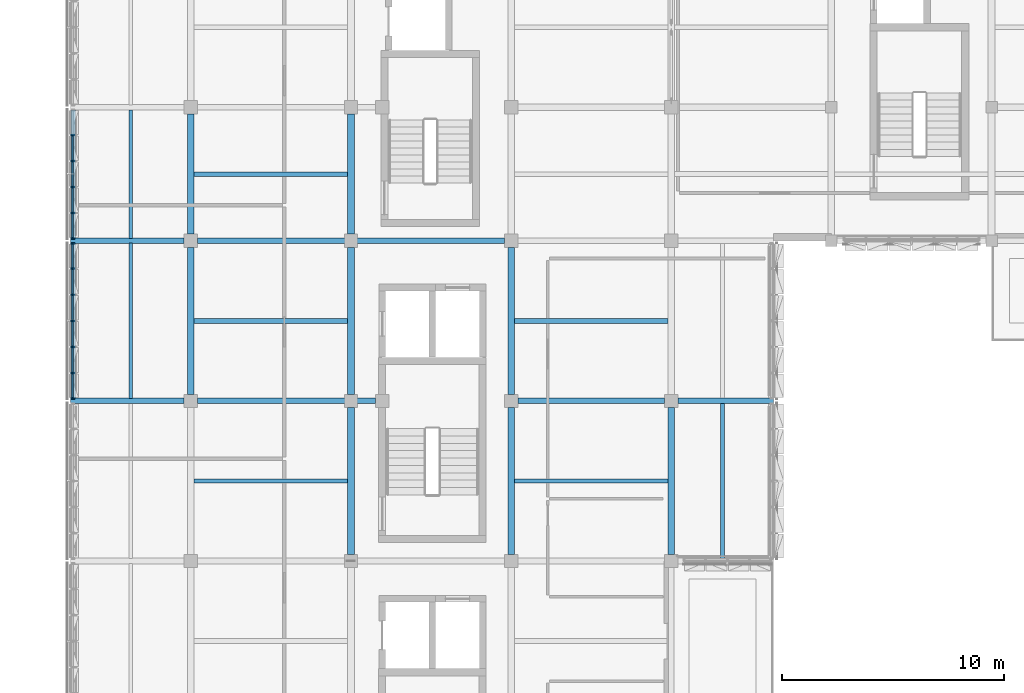
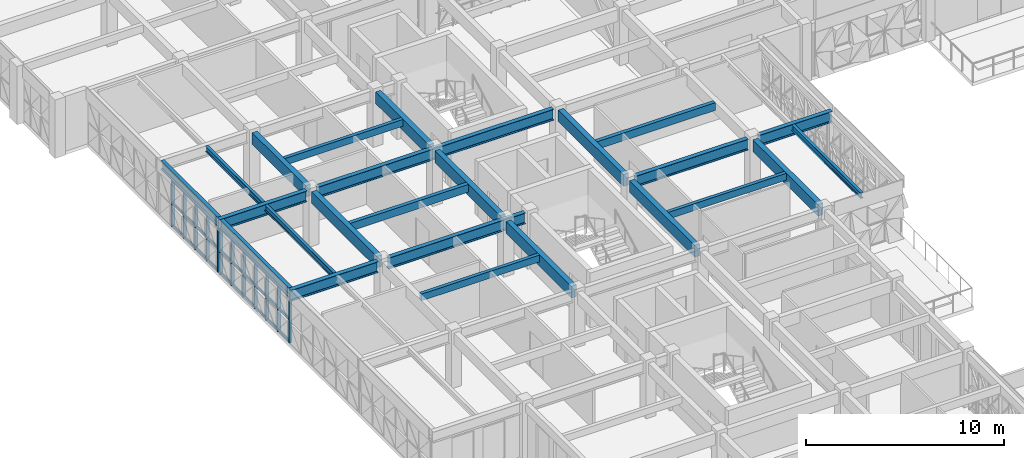
# One storey, part 4 of 74: 42 members, 24 beams, 2 elements without a shape of their own.
"""IFC4 building model written with IfcOpenShell, lengths in metres."""

from ifc_helpers import new_model, si_unit, direction, frame, origin, origin_2d, place, context, subcontext, project, spatial, rectangle, i_section, extrude, material, material_profile, profile_set, type_object, element, aggregate, save


model = new_model("IFC4")

# Units and contexts
model_context = context("Model", 3, precision=1e-05, world=origin(), true_north=direction((0.0, 1.0)))
body_context = subcontext(model_context, "Body", "Model", "MODEL_VIEW")
ifc_project = project(units=[si_unit("LENGTHUNIT", "METRE"), si_unit("AREAUNIT", "SQUARE_METRE"), si_unit("VOLUMEUNIT", "CUBIC_METRE"), si_unit("PLANEANGLEUNIT", "RADIAN"), si_unit("MASSUNIT", "GRAM", prefix="KILO")], contexts=[model_context])

# Site, building, storey
site_placement = place(None, origin())
site = spatial("IfcSite", under=ifc_project, at=site_placement, CompositionType="ELEMENT")
building_placement = place(site_placement, origin())
building = spatial("IfcBuilding", under=site, at=building_placement, Name="Alvorim Cloister Faculty of Sciences", CompositionType="ELEMENT")
storey_placement = place(building_placement, frame((0.0, 0.0, 15.75)))
storey = spatial("IfcBuildingStorey", under=building, at=storey_placement, Name="L04", CompositionType="ELEMENT", Elevation=15.75)

# Beams
ifc_material_1 = material(Name="Glulam GL32h", Category="wood")
ifc_material_profile_1 = material_profile(ifc_material_1, rectangle(XDim=0.300048828125, YDim=0.719970703125, at=origin_2d()), Name="GL32-BM-300x720")
ifc_profile_set_1 = profile_set([ifc_material_profile_1], Name="Glulam GL32h")
beam_type_1 = type_object("IfcBeamType", Name="BM-GL-300x720", PredefinedType="BEAM", material=ifc_profile_set_1)
beam_1_placement = place(storey_placement, frame((7.199951171875, 36.300048828125, 3.030029296875), z_axis=(0.0, 1.0, 0.0), x_axis=(-1.0, 0.0, 0.0)))
element("IfcBeam", 1, at=beam_1_placement, inside=storey, type_object=beam_type_1, Name="L04 Primary Girder BM-1807", PredefinedType="BEAM", context=body_context, shape_type="SweptSolid", body=[
    extrude(rectangle(XDim=0.300048828125, YDim=0.719970703125, at=origin_2d()), origin(), (0.0, 0.0, 1.0), 6.599853515625),
])
beam_2_placement = place(storey_placement, frame((7.199951171875, 43.5, 3.030029296875), z_axis=(0.0, 1.0, 0.0), x_axis=(-1.0, 0.0, 0.0)))
element("IfcBeam", 2, at=beam_2_placement, inside=storey, type_object=beam_type_1, Name="L04 Primary Girder BM-1808", PredefinedType="BEAM", context=body_context, shape_type="SweptSolid", body=[
    extrude(rectangle(XDim=0.300048828125, YDim=0.719970703125, at=origin_2d()), origin(), (0.0, 0.0, 1.0), 5.39990234375),
])
for number, where, z_axis, x_axis, name in (
    (3, (14.39990234375, 29.10009765625, 3.030029296875), (0.0, 1.0, 0.0), (-1.0, 0.0, 0.0), "L04 Primary Girder BM-1821"),
    (4, (14.39990234375, 36.300048828125, 3.030029296875), (0.0, 1.0, 0.0), (-1.0, 0.0, 0.0), "L04 Primary Girder BM-1822"),
):
    element("IfcBeam", number, at=place(storey_placement, frame(where, z_axis=z_axis, x_axis=x_axis)), inside=storey, type_object=beam_type_1, Name=name, PredefinedType="BEAM", context=body_context, shape_type="SweptSolid", body=[
        extrude(rectangle(XDim=0.300048828125, YDim=0.719970703125, at=origin_2d()), origin(), (0.0, 0.0, 1.0), 6.599853515625),
    ])
beam_3_placement = place(storey_placement, frame((14.39990234375, 43.5, 3.030029296875), z_axis=(0.0, 1.0, 0.0), x_axis=(-1.0, 0.0, 0.0)))
element("IfcBeam", 5, at=beam_3_placement, inside=storey, type_object=beam_type_1, Name="L04 Primary Girder BM-1823", PredefinedType="BEAM", context=body_context, shape_type="SweptSolid", body=[
    extrude(rectangle(XDim=0.300048828125, YDim=0.719970703125, at=origin_2d()), origin(), (0.0, 0.0, 1.0), 5.39990234375),
])
for number, where, z_axis, x_axis, name in (
    (6, (21.60009765625, 29.10009765625, 3.030029296875), (0.0, 1.0, 0.0), (-1.0, 0.0, 0.0), "L04 Primary Girder BM-1836"),
    (7, (21.60009765625, 36.300048828125, 3.030029296875), (0.0, 1.0, 0.0), (-1.0, 0.0, 0.0), "L04 Primary Girder BM-1837"),
    (8, (28.800048828125, 29.10009765625, 3.030029296875), (0.0, 1.0, 0.0), (-1.0, 0.0, 0.0), "L04 Primary Girder BM-1851"),
):
    element("IfcBeam", number, at=place(storey_placement, frame(where, z_axis=z_axis, x_axis=x_axis)), inside=storey, type_object=beam_type_1, Name=name, PredefinedType="BEAM", context=body_context, shape_type="SweptSolid", body=[
        extrude(rectangle(XDim=0.300048828125, YDim=0.719970703125, at=origin_2d()), origin(), (0.0, 0.0, 1.0), 6.599853515625),
    ])
ifc_material_2 = material(Name="Glulam GL28h", Category="wood")
ifc_material_profile_2 = material_profile(ifc_material_2, rectangle(XDim=0.199951171875, YDim=0.419921875, at=origin_2d()), Name="GL28-JST-200x420")
ifc_profile_set_2 = profile_set([ifc_material_profile_2], Name="Glulam GL28h")
beam_type_2 = type_object("IfcBeamType", Name="BM-JST-GL-200x420", PredefinedType="JOIST", material=ifc_profile_set_2)
for number, where, z_axis, x_axis, name in (
    (9, (7.35009765625, 32.39990234375, 3.179931640625), (1.0, 0.0, 0.0), (0.0, 1.0, 0.0), "L04 Secondary Floor Joist BM-1902"),
    (10, (7.35009765625, 46.199951171875, 3.179931640625), (1.0, 0.0, 0.0), (0.0, 1.0, 0.0), "L04 Secondary Floor Joist BM-1904"),
    (11, (21.75, 32.39990234375, 3.179931640625), (1.0, 0.0, 0.0), (0.0, 1.0, 0.0), "L04 Secondary Floor Joist BM-1926"),
):
    element("IfcBeam", number, at=place(storey_placement, frame(where, z_axis=z_axis, x_axis=x_axis)), inside=storey, type_object=beam_type_2, Name=name, PredefinedType="JOIST", context=body_context, shape_type="SweptSolid", body=[
        extrude(rectangle(XDim=0.199951171875, YDim=0.419921875, at=origin_2d()), origin(), (0.0, 0.0, 1.0), 6.89990234375),
    ])
ifc_material_profile_3 = material_profile(ifc_material_2, rectangle(XDim=0.219970703125, YDim=0.47998046875, at=origin_2d()), Name="GL28-JST-220x480")
ifc_profile_set_3 = profile_set([ifc_material_profile_3], Name="Glulam GL28h")
beam_type_3 = type_object("IfcBeamType", Name="BM-JST-GL-220x480", PredefinedType="JOIST", material=ifc_profile_set_3)
for number, where, z_axis, x_axis, name in (
    (12, (7.35009765625, 39.60009765625, 3.14990234375), (1.0, 0.0, 0.0), (0.0, 1.0, 0.0), "L04 Secondary Floor Joist BM-1903"),
    (13, (21.75, 39.60009765625, 3.14990234375), (1.0, 0.0, 0.0), (0.0, 1.0, 0.0), "L04 Secondary Floor Joist BM-1927"),
):
    element("IfcBeam", number, at=place(storey_placement, frame(where, z_axis=z_axis, x_axis=x_axis)), inside=storey, type_object=beam_type_3, Name=name, PredefinedType="JOIST", context=body_context, shape_type="SweptSolid", body=[
        extrude(rectangle(XDim=0.219970703125, YDim=0.47998046875, at=origin_2d()), origin(), (0.0, 0.0, 1.0), 6.89990234375),
    ])
ifc_material_3 = material(Name="Steel ASTM A572 Grade 50", Category="steel")
ifc_material_profile_4 = material_profile(ifc_material_3, i_section(OverallWidth=0.1708984375, OverallDepth=0.35498046875, WebThickness=0.007080078125, FlangeThickness=0.01171875, FilletRadius=0.012939453125, at=origin_2d()), Name="W360x51.0")
ifc_profile_set_4 = profile_set([ifc_material_profile_4], Name="Steel ASTM A572 Grade 50")
beam_type_4 = type_object("IfcBeamType", Name="BM-STL-W360", PredefinedType="JOIST", material=ifc_profile_set_4)
beam_4_placement = place(storey_placement, frame((4.5, 36.110107421875, 3.21240234375), z_axis=(0.0, 1.0, 0.0), x_axis=(-1.0, 0.0, 0.0)))
element("IfcBeam", 14, at=beam_4_placement, inside=storey, type_object=beam_type_4, Name="L04 Cantilever Deck Joist BM-0100", PredefinedType="JOIST", context=body_context, shape_type="SweptSolid", body=[
    extrude(i_section(OverallWidth=0.1708984375, OverallDepth=0.35498046875, WebThickness=0.007080078125, FlangeThickness=0.01171875, FilletRadius=0.012939453125, at=origin_2d()), origin(), (0.0, 0.0, 1.0), 6.97998046875),
])
beam_5_placement = place(storey_placement, frame((4.5, 43.31005859375, 3.21240234375), z_axis=(0.0, 1.0, 0.0), x_axis=(-1.0, 0.0, 0.0)))
element("IfcBeam", 15, at=beam_5_placement, inside=storey, type_object=beam_type_4, Name="L04 Cantilever Deck Joist BM-0102", PredefinedType="JOIST", context=body_context, shape_type="SweptSolid", body=[
    extrude(i_section(OverallWidth=0.1708984375, OverallDepth=0.35498046875, WebThickness=0.007080078125, FlangeThickness=0.01171875, FilletRadius=0.012939453125, at=origin_2d()), origin(), (0.0, 0.0, 1.0), 5.780029296875),
])
beam_6_placement = place(storey_placement, frame((31.10009765625, 28.909912109375, 3.21240234375), z_axis=(0.0, 1.0, 0.0), x_axis=(-1.0, 0.0, 0.0)))
element("IfcBeam", 16, at=beam_6_placement, inside=storey, type_object=beam_type_4, Name="L04 Cantilever Deck Joist BM-0138", PredefinedType="JOIST", context=body_context, shape_type="SweptSolid", body=[
    extrude(i_section(OverallWidth=0.1708984375, OverallDepth=0.35498046875, WebThickness=0.007080078125, FlangeThickness=0.01171875, FilletRadius=0.012939453125, at=origin_2d()), origin(), (0.0, 0.0, 1.0), 6.97998046875),
])
ifc_material_profile_5 = material_profile(ifc_material_3, i_section(OverallWidth=0.208984375, OverallDepth=0.532958984375, WebThickness=0.01025390625, FlangeThickness=0.015625, FilletRadius=0.01611328125, at=origin_2d()), Name="W530x92.0")
ifc_profile_set_5 = profile_set([ifc_material_profile_5], Name="Steel ASTM A572 Grade 50")
beam_type_5 = type_object("IfcBeamType", Name="BM-STL-W530", PredefinedType="BEAM", material=ifc_profile_set_5)
beam_7_placement = place(storey_placement, frame((1.919921875, 36.110107421875, 3.12353515625), z_axis=(0.0, 1.0, 0.0), x_axis=(-1.0, 0.0, 0.0)))
element("IfcBeam", 17, at=beam_7_placement, inside=storey, type_object=beam_type_5, Name="L04 Cantilever Tip Header Girder BM-0099", PredefinedType="BEAM", context=body_context, shape_type="SweptSolid", body=[
    extrude(i_section(OverallWidth=0.208984375, OverallDepth=0.532958984375, WebThickness=0.01025390625, FlangeThickness=0.015625, FilletRadius=0.01611328125, at=origin_2d()), origin(), (0.0, 0.0, 1.0), 6.97998046875),
])
beam_8_placement = place(storey_placement, frame((1.919921875, 43.31005859375, 3.12353515625), z_axis=(0.0, 1.0, 0.0), x_axis=(-1.0, 0.0, 0.0)))
element("IfcBeam", 18, at=beam_8_placement, inside=storey, type_object=beam_type_5, Name="L04 Cantilever Tip Header Girder BM-0101", PredefinedType="BEAM", context=body_context, shape_type="SweptSolid", body=[
    extrude(i_section(OverallWidth=0.208984375, OverallDepth=0.532958984375, WebThickness=0.01025390625, FlangeThickness=0.015625, FilletRadius=0.01611328125, at=origin_2d()), origin(), (0.0, 0.0, 1.0), 5.780029296875),
])
ifc_material_profile_6 = material_profile(ifc_material_3, i_section(OverallWidth=0.25390625, OverallDepth=0.68408203125, WebThickness=0.012451171875, FlangeThickness=0.01904296875, FilletRadius=0.01904296875, at=origin_2d()), Name="W690x140.0")
ifc_profile_set_6 = profile_set([ifc_material_profile_6], Name="Steel ASTM A572 Grade 50")
beam_type_6 = type_object("IfcBeamType", Name="BM-STL-W690", PredefinedType="BEAM", material=ifc_profile_set_6)
beam_9_placement = place(storey_placement, frame((7.5, 36.0, 3.048095703125), z_axis=(1.0, 0.0, 0.0), x_axis=(0.0, 1.0, 0.0)))
element("IfcBeam", 19, at=beam_9_placement, inside=storey, type_object=beam_type_6, Name="L04 Cantilever Backspan Girder BM-0087", PredefinedType="BEAM", context=body_context, shape_type="SweptSolid", body=[
    extrude(i_section(OverallWidth=0.25390625, OverallDepth=0.68408203125, WebThickness=0.012451171875, FlangeThickness=0.01904296875, FilletRadius=0.01904296875, at=origin_2d()), origin(), (0.0, 0.0, 1.0), 8.0),
])
beam_10_placement = place(storey_placement, frame((1.800048828125, 36.0, 3.048095703125), z_axis=(1.0, 0.0, 0.0), x_axis=(0.0, 1.0, 0.0)))
element("IfcBeam", 20, at=beam_10_placement, inside=storey, type_object=beam_type_6, Name="L04 Cantilever Overhang Girder BM-0088", PredefinedType="BEAM", context=body_context, shape_type="SweptSolid", body=[
    extrude(i_section(OverallWidth=0.25390625, OverallDepth=0.68408203125, WebThickness=0.012451171875, FlangeThickness=0.01904296875, FilletRadius=0.01904296875, at=origin_2d()), origin(), (0.0, 0.0, 1.0), 5.099853515625),
])
beam_11_placement = place(storey_placement, frame((7.5, 43.199951171875, 3.048095703125), z_axis=(1.0, 0.0, 0.0), x_axis=(0.0, 1.0, 0.0)))
element("IfcBeam", 21, at=beam_11_placement, inside=storey, type_object=beam_type_6, Name="L04 Cantilever Backspan Girder BM-0089", PredefinedType="BEAM", context=body_context, shape_type="SweptSolid", body=[
    extrude(i_section(OverallWidth=0.25390625, OverallDepth=0.68408203125, WebThickness=0.012451171875, FlangeThickness=0.01904296875, FilletRadius=0.01904296875, at=origin_2d()), origin(), (0.0, 0.0, 1.0), 13.800048828125),
])
beam_12_placement = place(storey_placement, frame((1.800048828125, 43.199951171875, 3.048095703125), z_axis=(1.0, 0.0, 0.0), x_axis=(0.0, 1.0, 0.0)))
element("IfcBeam", 22, at=beam_12_placement, inside=storey, type_object=beam_type_6, Name="L04 Cantilever Overhang Girder BM-0090", PredefinedType="BEAM", context=body_context, shape_type="SweptSolid", body=[
    extrude(i_section(OverallWidth=0.25390625, OverallDepth=0.68408203125, WebThickness=0.012451171875, FlangeThickness=0.01904296875, FilletRadius=0.01904296875, at=origin_2d()), origin(), (0.0, 0.0, 1.0), 5.099853515625),
])
beam_13_placement = place(storey_placement, frame((21.89990234375, 36.0, 3.048095703125), z_axis=(1.0, 0.0, 0.0), x_axis=(0.0, 1.0, 0.0)))
element("IfcBeam", 23, at=beam_13_placement, inside=storey, type_object=beam_type_6, Name="L04 Cantilever Backspan Girder BM-0133", PredefinedType="BEAM", context=body_context, shape_type="SweptSolid", body=[
    extrude(i_section(OverallWidth=0.25390625, OverallDepth=0.68408203125, WebThickness=0.012451171875, FlangeThickness=0.01904296875, FilletRadius=0.01904296875, at=origin_2d()), origin(), (0.0, 0.0, 1.0), 6.60009765625),
])
beam_14_placement = place(storey_placement, frame((29.10009765625, 36.0, 3.048095703125), z_axis=(1.0, 0.0, 0.0), x_axis=(0.0, 1.0, 0.0)))
element("IfcBeam", 24, at=beam_14_placement, inside=storey, type_object=beam_type_6, Name="L04 Cantilever Overhang Girder BM-0134", PredefinedType="BEAM", context=body_context, shape_type="SweptSolid", body=[
    extrude(i_section(OverallWidth=0.25390625, OverallDepth=0.68408203125, WebThickness=0.012451171875, FlangeThickness=0.01904296875, FilletRadius=0.01904296875, at=origin_2d()), origin(), (0.0, 0.0, 1.0), 4.2998046875),
])

# Curtain wall, members
ifc_material_4 = material(Name="Aluminium and Low-E Glass Curtain Wall", Category="aluminium")
curtain_wall_type_1 = type_object("IfcCurtainWallType", Name="CW-TRI-7040x2857", PredefinedType="USERDEFINED", material=ifc_material_4)
curtain_wall_1_placement = place(storey_placement, origin())
curtain_wall_1 = element("IfcCurtainWall", 25, at=curtain_wall_1_placement, inside=storey, type_object=curtain_wall_type_1, Name="L04 Diagonal Cassette Curtain Wall CW-0167", ObjectType="UNITISED CURTAIN WALL", PredefinedType="USERDEFINED")
ifc_material_5 = material(Name="Aluminium Alloy 6063-T6", Category="aluminium")
ifc_material_profile_7 = material_profile(ifc_material_5, rectangle(XDim=0.06494140625, YDim=0.179931640625, at=origin_2d()), Name="ALU-MUL-65x180")
ifc_profile_set_7 = profile_set([ifc_material_profile_7], Name="Aluminium Alloy 6063-T6")
member_type_1 = type_object("IfcMemberType", Name="CW-MUL-65x180", PredefinedType="MULLION", material=ifc_profile_set_7)
member_1_placement = place(storey_placement, frame((1.889892578125, 36.112548828125, 0.0), z_axis=(0.0, 0.0, 1.0), x_axis=(0.0, 1.0, 0.0)))
member_1 = element("IfcMember", 26, at=member_1_placement, type_object=member_type_1, Name="CW-0167 Mullion 1", PredefinedType="MULLION", context=body_context, shape_type="SweptSolid", body=[
    extrude(rectangle(XDim=0.06494140625, YDim=0.179931640625, at=origin_2d()), origin(), (0.0, 0.0, 1.0), 2.85693359375),
])
member_2_placement = place(storey_placement, frame((1.889892578125, 37.25341796875, 0.0), z_axis=(0.0, 0.0, 1.0), x_axis=(0.0, 1.0, 0.0)))
member_2 = element("IfcMember", 27, at=member_2_placement, type_object=member_type_1, Name="CW-0167 Mullion 2", PredefinedType="MULLION", context=body_context, shape_type="SweptSolid", body=[
    extrude(rectangle(XDim=0.06494140625, YDim=0.179931640625, at=origin_2d()), origin(), (0.0, 0.0, 1.0), 2.85693359375),
])
member_3_placement = place(storey_placement, frame((1.889892578125, 38.4267578125, 0.0), z_axis=(0.0, 0.0, 1.0), x_axis=(0.0, 1.0, 0.0)))
member_3 = element("IfcMember", 28, at=member_3_placement, type_object=member_type_1, Name="CW-0167 Mullion 3", PredefinedType="MULLION", context=body_context, shape_type="SweptSolid", body=[
    extrude(rectangle(XDim=0.06494140625, YDim=0.179931640625, at=origin_2d()), origin(), (0.0, 0.0, 1.0), 2.85693359375),
])
member_4_placement = place(storey_placement, frame((1.889892578125, 39.60009765625, 0.0), z_axis=(0.0, 0.0, 1.0), x_axis=(0.0, 1.0, 0.0)))
member_4 = element("IfcMember", 29, at=member_4_placement, type_object=member_type_1, Name="CW-0167 Mullion 4", PredefinedType="MULLION", context=body_context, shape_type="SweptSolid", body=[
    extrude(rectangle(XDim=0.06494140625, YDim=0.179931640625, at=origin_2d()), origin(), (0.0, 0.0, 1.0), 2.85693359375),
])
member_5_placement = place(storey_placement, frame((1.889892578125, 40.773193359375, 0.0), z_axis=(0.0, 0.0, 1.0), x_axis=(0.0, 1.0, 0.0)))
member_5 = element("IfcMember", 30, at=member_5_placement, type_object=member_type_1, Name="CW-0167 Mullion 5", PredefinedType="MULLION", context=body_context, shape_type="SweptSolid", body=[
    extrude(rectangle(XDim=0.06494140625, YDim=0.179931640625, at=origin_2d()), origin(), (0.0, 0.0, 1.0), 2.85693359375),
])
member_6_placement = place(storey_placement, frame((1.889892578125, 41.94677734375, 0.0), z_axis=(0.0, 0.0, 1.0), x_axis=(0.0, 1.0, 0.0)))
member_6 = element("IfcMember", 31, at=member_6_placement, type_object=member_type_1, Name="CW-0167 Mullion 6", PredefinedType="MULLION", context=body_context, shape_type="SweptSolid", body=[
    extrude(rectangle(XDim=0.06494140625, YDim=0.179931640625, at=origin_2d()), origin(), (0.0, 0.0, 1.0), 2.85693359375),
])
member_7_placement = place(storey_placement, frame((1.889892578125, 43.08740234375, 0.0), z_axis=(0.0, 0.0, 1.0), x_axis=(0.0, 1.0, 0.0)))
member_7 = element("IfcMember", 32, at=member_7_placement, type_object=member_type_1, Name="CW-0167 Mullion 7", PredefinedType="MULLION", context=body_context, shape_type="SweptSolid", body=[
    extrude(rectangle(XDim=0.06494140625, YDim=0.179931640625, at=origin_2d()), origin(), (0.0, 0.0, 1.0), 2.85693359375),
])

curtain_wall_type_2 = type_object("IfcCurtainWallType", Name="CW-TRI-5840x2857", PredefinedType="USERDEFINED", material=ifc_material_4)
curtain_wall_2_placement = place(storey_placement, origin())
curtain_wall_2 = element("IfcCurtainWall", 33, at=curtain_wall_2_placement, inside=storey, type_object=curtain_wall_type_2, Name="L04 Diagonal Cassette Curtain Wall CW-0168", ObjectType="UNITISED CURTAIN WALL", PredefinedType="USERDEFINED")
member_8_placement = place(storey_placement, frame((1.889892578125, 43.3125, 0.0), z_axis=(0.0, 0.0, 1.0), x_axis=(0.0, 1.0, 0.0)))
member_8 = element("IfcMember", 34, at=member_8_placement, type_object=member_type_1, Name="CW-0168 Mullion 1", PredefinedType="MULLION", context=body_context, shape_type="SweptSolid", body=[
    extrude(rectangle(XDim=0.06494140625, YDim=0.179931640625, at=origin_2d()), origin(), (0.0, 0.0, 1.0), 2.85693359375),
])
member_9_placement = place(storey_placement, frame((1.889892578125, 44.447998046875, 0.0), z_axis=(0.0, 0.0, 1.0), x_axis=(0.0, 1.0, 0.0)))
member_9 = element("IfcMember", 35, at=member_9_placement, type_object=member_type_1, Name="CW-0168 Mullion 2", PredefinedType="MULLION", context=body_context, shape_type="SweptSolid", body=[
    extrude(rectangle(XDim=0.06494140625, YDim=0.179931640625, at=origin_2d()), origin(), (0.0, 0.0, 1.0), 2.85693359375),
])
member_10_placement = place(storey_placement, frame((1.889892578125, 45.615966796875, 0.0), z_axis=(0.0, 0.0, 1.0), x_axis=(0.0, 1.0, 0.0)))
member_10 = element("IfcMember", 36, at=member_10_placement, type_object=member_type_1, Name="CW-0168 Mullion 3", PredefinedType="MULLION", context=body_context, shape_type="SweptSolid", body=[
    extrude(rectangle(XDim=0.06494140625, YDim=0.179931640625, at=origin_2d()), origin(), (0.0, 0.0, 1.0), 2.85693359375),
])
member_11_placement = place(storey_placement, frame((1.889892578125, 46.783935546875, 0.0), z_axis=(0.0, 0.0, 1.0), x_axis=(0.0, 1.0, 0.0)))
member_11 = element("IfcMember", 37, at=member_11_placement, type_object=member_type_1, Name="CW-0168 Mullion 4", PredefinedType="MULLION", context=body_context, shape_type="SweptSolid", body=[
    extrude(rectangle(XDim=0.06494140625, YDim=0.179931640625, at=origin_2d()), origin(), (0.0, 0.0, 1.0), 2.85693359375),
])
member_12_placement = place(storey_placement, frame((1.889892578125, 47.951904296875, 0.0), z_axis=(0.0, 0.0, 1.0), x_axis=(0.0, 1.0, 0.0)))
member_12 = element("IfcMember", 38, at=member_12_placement, type_object=member_type_1, Name="CW-0168 Mullion 5", PredefinedType="MULLION", context=body_context, shape_type="SweptSolid", body=[
    extrude(rectangle(XDim=0.06494140625, YDim=0.179931640625, at=origin_2d()), origin(), (0.0, 0.0, 1.0), 2.85693359375),
])

# Member
ifc_material_profile_8 = material_profile(ifc_material_5, rectangle(XDim=0.06494140625, YDim=0.139892578125, at=origin_2d()), Name="ALU-TRN-65x140")
ifc_profile_set_8 = profile_set([ifc_material_profile_8], Name="Aluminium Alloy 6063-T6")
member_type_2 = type_object("IfcMemberType", Name="CW-TRN-65x140", PredefinedType="USERDEFINED", material=ifc_profile_set_8)
member_13_placement = place(storey_placement, frame((1.889892578125, 36.14501953125, 0.070068359375), z_axis=(0.0, 1.0, 0.0), x_axis=(-1.0, 0.0, 0.0)))
member_13 = element("IfcMember", 39, at=member_13_placement, type_object=member_type_2, Name="CW-0167 Transom 1.1", ObjectType="TRANSOM", PredefinedType="USERDEFINED", context=body_context, shape_type="SweptSolid", body=[
    extrude(rectangle(XDim=0.06494140625, YDim=0.139892578125, at=origin_2d()), origin(), (0.0, 0.0, 1.0), 1.075927734375),
])

member_14_placement = place(storey_placement, frame((1.889892578125, 36.14501953125, 1.428466796875), z_axis=(0.0, 1.0, 0.0), x_axis=(-1.0, 0.0, 0.0)))
member_14 = element("IfcMember", 40, at=member_14_placement, type_object=member_type_2, Name="CW-0167 Transom 1.2", ObjectType="TRANSOM", PredefinedType="USERDEFINED", context=body_context, shape_type="SweptSolid", body=[
    extrude(rectangle(XDim=0.06494140625, YDim=0.139892578125, at=origin_2d()), origin(), (0.0, 0.0, 1.0), 1.075927734375),
])

member_15_placement = place(storey_placement, frame((1.889892578125, 36.14501953125, 2.787109375), z_axis=(0.0, 1.0, 0.0), x_axis=(-1.0, 0.0, 0.0)))
member_15 = element("IfcMember", 41, at=member_15_placement, type_object=member_type_2, Name="CW-0167 Transom 1.3", ObjectType="TRANSOM", PredefinedType="USERDEFINED", context=body_context, shape_type="SweptSolid", body=[
    extrude(rectangle(XDim=0.06494140625, YDim=0.139892578125, at=origin_2d()), origin(), (0.0, 0.0, 1.0), 1.075927734375),
])

member_16_placement = place(storey_placement, frame((1.889892578125, 37.285888671875, 0.070068359375), z_axis=(0.0, 1.0, 0.0), x_axis=(-1.0, 0.0, 0.0)))
member_16 = element("IfcMember", 42, at=member_16_placement, type_object=member_type_2, Name="CW-0167 Transom 2.1", ObjectType="TRANSOM", PredefinedType="USERDEFINED", context=body_context, shape_type="SweptSolid", body=[
    extrude(rectangle(XDim=0.06494140625, YDim=0.139892578125, at=origin_2d()), origin(), (0.0, 0.0, 1.0), 1.1083984375),
])

member_17_placement = place(storey_placement, frame((1.889892578125, 37.285888671875, 1.428466796875), z_axis=(0.0, 1.0, 0.0), x_axis=(-1.0, 0.0, 0.0)))
member_17 = element("IfcMember", 43, at=member_17_placement, type_object=member_type_2, Name="CW-0167 Transom 2.2", ObjectType="TRANSOM", PredefinedType="USERDEFINED", context=body_context, shape_type="SweptSolid", body=[
    extrude(rectangle(XDim=0.06494140625, YDim=0.139892578125, at=origin_2d()), origin(), (0.0, 0.0, 1.0), 1.1083984375),
])

member_18_placement = place(storey_placement, frame((1.889892578125, 37.285888671875, 2.787109375), z_axis=(0.0, 1.0, 0.0), x_axis=(-1.0, 0.0, 0.0)))
member_18 = element("IfcMember", 44, at=member_18_placement, type_object=member_type_2, Name="CW-0167 Transom 2.3", ObjectType="TRANSOM", PredefinedType="USERDEFINED", context=body_context, shape_type="SweptSolid", body=[
    extrude(rectangle(XDim=0.06494140625, YDim=0.139892578125, at=origin_2d()), origin(), (0.0, 0.0, 1.0), 1.1083984375),
])

member_19_placement = place(storey_placement, frame((1.889892578125, 38.459228515625, 0.070068359375), z_axis=(0.0, 1.0, 0.0), x_axis=(-1.0, 0.0, 0.0)))
member_19 = element("IfcMember", 45, at=member_19_placement, type_object=member_type_2, Name="CW-0167 Transom 3.1", ObjectType="TRANSOM", PredefinedType="USERDEFINED", context=body_context, shape_type="SweptSolid", body=[
    extrude(rectangle(XDim=0.06494140625, YDim=0.139892578125, at=origin_2d()), origin(), (0.0, 0.0, 1.0), 1.108154296875),
])

member_20_placement = place(storey_placement, frame((1.889892578125, 38.459228515625, 1.428466796875), z_axis=(0.0, 1.0, 0.0), x_axis=(-1.0, 0.0, 0.0)))
member_20 = element("IfcMember", 46, at=member_20_placement, type_object=member_type_2, Name="CW-0167 Transom 3.2", ObjectType="TRANSOM", PredefinedType="USERDEFINED", context=body_context, shape_type="SweptSolid", body=[
    extrude(rectangle(XDim=0.06494140625, YDim=0.139892578125, at=origin_2d()), origin(), (0.0, 0.0, 1.0), 1.108154296875),
])

member_21_placement = place(storey_placement, frame((1.889892578125, 38.459228515625, 2.787109375), z_axis=(0.0, 1.0, 0.0), x_axis=(-1.0, 0.0, 0.0)))
member_21 = element("IfcMember", 47, at=member_21_placement, type_object=member_type_2, Name="CW-0167 Transom 3.3", ObjectType="TRANSOM", PredefinedType="USERDEFINED", context=body_context, shape_type="SweptSolid", body=[
    extrude(rectangle(XDim=0.06494140625, YDim=0.139892578125, at=origin_2d()), origin(), (0.0, 0.0, 1.0), 1.108154296875),
])

member_22_placement = place(storey_placement, frame((1.889892578125, 39.632568359375, 0.070068359375), z_axis=(0.0, 1.0, 0.0), x_axis=(-1.0, 0.0, 0.0)))
member_22 = element("IfcMember", 48, at=member_22_placement, type_object=member_type_2, Name="CW-0167 Transom 4.1", ObjectType="TRANSOM", PredefinedType="USERDEFINED", context=body_context, shape_type="SweptSolid", body=[
    extrude(rectangle(XDim=0.06494140625, YDim=0.139892578125, at=origin_2d()), origin(), (0.0, 0.0, 1.0), 1.108154296875),
])

member_23_placement = place(storey_placement, frame((1.889892578125, 39.632568359375, 1.428466796875), z_axis=(0.0, 1.0, 0.0), x_axis=(-1.0, 0.0, 0.0)))
member_23 = element("IfcMember", 49, at=member_23_placement, type_object=member_type_2, Name="CW-0167 Transom 4.2", ObjectType="TRANSOM", PredefinedType="USERDEFINED", context=body_context, shape_type="SweptSolid", body=[
    extrude(rectangle(XDim=0.06494140625, YDim=0.139892578125, at=origin_2d()), origin(), (0.0, 0.0, 1.0), 1.108154296875),
])

member_24_placement = place(storey_placement, frame((1.889892578125, 39.632568359375, 2.787109375), z_axis=(0.0, 1.0, 0.0), x_axis=(-1.0, 0.0, 0.0)))
member_24 = element("IfcMember", 50, at=member_24_placement, type_object=member_type_2, Name="CW-0167 Transom 4.3", ObjectType="TRANSOM", PredefinedType="USERDEFINED", context=body_context, shape_type="SweptSolid", body=[
    extrude(rectangle(XDim=0.06494140625, YDim=0.139892578125, at=origin_2d()), origin(), (0.0, 0.0, 1.0), 1.108154296875),
])

member_25_placement = place(storey_placement, frame((1.889892578125, 40.805908203125, 0.070068359375), z_axis=(0.0, 1.0, 0.0), x_axis=(-1.0, 0.0, 0.0)))
member_25 = element("IfcMember", 51, at=member_25_placement, type_object=member_type_2, Name="CW-0167 Transom 5.1", ObjectType="TRANSOM", PredefinedType="USERDEFINED", context=body_context, shape_type="SweptSolid", body=[
    extrude(rectangle(XDim=0.06494140625, YDim=0.139892578125, at=origin_2d()), origin(), (0.0, 0.0, 1.0), 1.108154296875),
])

member_26_placement = place(storey_placement, frame((1.889892578125, 40.805908203125, 1.428466796875), z_axis=(0.0, 1.0, 0.0), x_axis=(-1.0, 0.0, 0.0)))
member_26 = element("IfcMember", 52, at=member_26_placement, type_object=member_type_2, Name="CW-0167 Transom 5.2", ObjectType="TRANSOM", PredefinedType="USERDEFINED", context=body_context, shape_type="SweptSolid", body=[
    extrude(rectangle(XDim=0.06494140625, YDim=0.139892578125, at=origin_2d()), origin(), (0.0, 0.0, 1.0), 1.108154296875),
])

member_27_placement = place(storey_placement, frame((1.889892578125, 40.805908203125, 2.787109375), z_axis=(0.0, 1.0, 0.0), x_axis=(-1.0, 0.0, 0.0)))
member_27 = element("IfcMember", 53, at=member_27_placement, type_object=member_type_2, Name="CW-0167 Transom 5.3", ObjectType="TRANSOM", PredefinedType="USERDEFINED", context=body_context, shape_type="SweptSolid", body=[
    extrude(rectangle(XDim=0.06494140625, YDim=0.139892578125, at=origin_2d()), origin(), (0.0, 0.0, 1.0), 1.108154296875),
])

member_28_placement = place(storey_placement, frame((1.889892578125, 41.979248046875, 0.070068359375), z_axis=(0.0, 1.0, 0.0), x_axis=(-1.0, 0.0, 0.0)))
member_28 = element("IfcMember", 54, at=member_28_placement, type_object=member_type_2, Name="CW-0167 Transom 6.1", ObjectType="TRANSOM", PredefinedType="USERDEFINED", context=body_context, shape_type="SweptSolid", body=[
    extrude(rectangle(XDim=0.06494140625, YDim=0.139892578125, at=origin_2d()), origin(), (0.0, 0.0, 1.0), 1.07568359375),
])

member_29_placement = place(storey_placement, frame((1.889892578125, 41.979248046875, 1.428466796875), z_axis=(0.0, 1.0, 0.0), x_axis=(-1.0, 0.0, 0.0)))
member_29 = element("IfcMember", 55, at=member_29_placement, type_object=member_type_2, Name="CW-0167 Transom 6.2", ObjectType="TRANSOM", PredefinedType="USERDEFINED", context=body_context, shape_type="SweptSolid", body=[
    extrude(rectangle(XDim=0.06494140625, YDim=0.139892578125, at=origin_2d()), origin(), (0.0, 0.0, 1.0), 1.07568359375),
])

member_30_placement = place(storey_placement, frame((1.889892578125, 41.979248046875, 2.787109375), z_axis=(0.0, 1.0, 0.0), x_axis=(-1.0, 0.0, 0.0)))
member_30 = element("IfcMember", 56, at=member_30_placement, type_object=member_type_2, Name="CW-0167 Transom 6.3", ObjectType="TRANSOM", PredefinedType="USERDEFINED", context=body_context, shape_type="SweptSolid", body=[
    extrude(rectangle(XDim=0.06494140625, YDim=0.139892578125, at=origin_2d()), origin(), (0.0, 0.0, 1.0), 1.07568359375),
])

aggregate(curtain_wall_1, [member_1, member_2, member_3, member_4, member_5, member_6, member_7, member_13, member_14, member_15, member_16, member_17, member_18, member_19, member_20, member_21, member_22, member_23, member_24, member_25, member_26, member_27, member_28, member_29, member_30])

member_31_placement = place(storey_placement, frame((1.889892578125, 43.344970703125, 0.070068359375), z_axis=(0.0, 1.0, 0.0), x_axis=(-1.0, 0.0, 0.0)))
member_31 = element("IfcMember", 57, at=member_31_placement, type_object=member_type_2, Name="CW-0168 Transom 1.1", ObjectType="TRANSOM", PredefinedType="USERDEFINED", context=body_context, shape_type="SweptSolid", body=[
    extrude(rectangle(XDim=0.06494140625, YDim=0.139892578125, at=origin_2d()), origin(), (0.0, 0.0, 1.0), 1.070556640625),
])

member_32_placement = place(storey_placement, frame((1.889892578125, 43.344970703125, 1.428466796875), z_axis=(0.0, 1.0, 0.0), x_axis=(-1.0, 0.0, 0.0)))
member_32 = element("IfcMember", 58, at=member_32_placement, type_object=member_type_2, Name="CW-0168 Transom 1.2", ObjectType="TRANSOM", PredefinedType="USERDEFINED", context=body_context, shape_type="SweptSolid", body=[
    extrude(rectangle(XDim=0.06494140625, YDim=0.139892578125, at=origin_2d()), origin(), (0.0, 0.0, 1.0), 1.070556640625),
])

member_33_placement = place(storey_placement, frame((1.889892578125, 43.344970703125, 2.787109375), z_axis=(0.0, 1.0, 0.0), x_axis=(-1.0, 0.0, 0.0)))
member_33 = element("IfcMember", 59, at=member_33_placement, type_object=member_type_2, Name="CW-0168 Transom 1.3", ObjectType="TRANSOM", PredefinedType="USERDEFINED", context=body_context, shape_type="SweptSolid", body=[
    extrude(rectangle(XDim=0.06494140625, YDim=0.139892578125, at=origin_2d()), origin(), (0.0, 0.0, 1.0), 1.070556640625),
])

member_34_placement = place(storey_placement, frame((1.889892578125, 44.48046875, 0.070068359375), z_axis=(0.0, 1.0, 0.0), x_axis=(-1.0, 0.0, 0.0)))
member_34 = element("IfcMember", 60, at=member_34_placement, type_object=member_type_2, Name="CW-0168 Transom 2.1", ObjectType="TRANSOM", PredefinedType="USERDEFINED", context=body_context, shape_type="SweptSolid", body=[
    extrude(rectangle(XDim=0.06494140625, YDim=0.139892578125, at=origin_2d()), origin(), (0.0, 0.0, 1.0), 1.10302734375),
])

member_35_placement = place(storey_placement, frame((1.889892578125, 44.48046875, 1.428466796875), z_axis=(0.0, 1.0, 0.0), x_axis=(-1.0, 0.0, 0.0)))
member_35 = element("IfcMember", 61, at=member_35_placement, type_object=member_type_2, Name="CW-0168 Transom 2.2", ObjectType="TRANSOM", PredefinedType="USERDEFINED", context=body_context, shape_type="SweptSolid", body=[
    extrude(rectangle(XDim=0.06494140625, YDim=0.139892578125, at=origin_2d()), origin(), (0.0, 0.0, 1.0), 1.10302734375),
])

member_36_placement = place(storey_placement, frame((1.889892578125, 44.48046875, 2.787109375), z_axis=(0.0, 1.0, 0.0), x_axis=(-1.0, 0.0, 0.0)))
member_36 = element("IfcMember", 62, at=member_36_placement, type_object=member_type_2, Name="CW-0168 Transom 2.3", ObjectType="TRANSOM", PredefinedType="USERDEFINED", context=body_context, shape_type="SweptSolid", body=[
    extrude(rectangle(XDim=0.06494140625, YDim=0.139892578125, at=origin_2d()), origin(), (0.0, 0.0, 1.0), 1.10302734375),
])

member_37_placement = place(storey_placement, frame((1.889892578125, 45.6484375, 0.070068359375), z_axis=(0.0, 1.0, 0.0), x_axis=(-1.0, 0.0, 0.0)))
member_37 = element("IfcMember", 63, at=member_37_placement, type_object=member_type_2, Name="CW-0168 Transom 3.1", ObjectType="TRANSOM", PredefinedType="USERDEFINED", context=body_context, shape_type="SweptSolid", body=[
    extrude(rectangle(XDim=0.06494140625, YDim=0.139892578125, at=origin_2d()), origin(), (0.0, 0.0, 1.0), 1.10302734375),
])

member_38_placement = place(storey_placement, frame((1.889892578125, 45.6484375, 1.428466796875), z_axis=(0.0, 1.0, 0.0), x_axis=(-1.0, 0.0, 0.0)))
member_38 = element("IfcMember", 64, at=member_38_placement, type_object=member_type_2, Name="CW-0168 Transom 3.2", ObjectType="TRANSOM", PredefinedType="USERDEFINED", context=body_context, shape_type="SweptSolid", body=[
    extrude(rectangle(XDim=0.06494140625, YDim=0.139892578125, at=origin_2d()), origin(), (0.0, 0.0, 1.0), 1.10302734375),
])

member_39_placement = place(storey_placement, frame((1.889892578125, 45.6484375, 2.787109375), z_axis=(0.0, 1.0, 0.0), x_axis=(-1.0, 0.0, 0.0)))
member_39 = element("IfcMember", 65, at=member_39_placement, type_object=member_type_2, Name="CW-0168 Transom 3.3", ObjectType="TRANSOM", PredefinedType="USERDEFINED", context=body_context, shape_type="SweptSolid", body=[
    extrude(rectangle(XDim=0.06494140625, YDim=0.139892578125, at=origin_2d()), origin(), (0.0, 0.0, 1.0), 1.10302734375),
])

member_40_placement = place(storey_placement, frame((1.889892578125, 46.81640625, 0.070068359375), z_axis=(0.0, 1.0, 0.0), x_axis=(-1.0, 0.0, 0.0)))
member_40 = element("IfcMember", 66, at=member_40_placement, type_object=member_type_2, Name="CW-0168 Transom 4.1", ObjectType="TRANSOM", PredefinedType="USERDEFINED", context=body_context, shape_type="SweptSolid", body=[
    extrude(rectangle(XDim=0.06494140625, YDim=0.139892578125, at=origin_2d()), origin(), (0.0, 0.0, 1.0), 1.10302734375),
])

member_41_placement = place(storey_placement, frame((1.889892578125, 46.81640625, 1.428466796875), z_axis=(0.0, 1.0, 0.0), x_axis=(-1.0, 0.0, 0.0)))
member_41 = element("IfcMember", 67, at=member_41_placement, type_object=member_type_2, Name="CW-0168 Transom 4.2", ObjectType="TRANSOM", PredefinedType="USERDEFINED", context=body_context, shape_type="SweptSolid", body=[
    extrude(rectangle(XDim=0.06494140625, YDim=0.139892578125, at=origin_2d()), origin(), (0.0, 0.0, 1.0), 1.10302734375),
])

member_42_placement = place(storey_placement, frame((1.889892578125, 46.81640625, 2.787109375), z_axis=(0.0, 1.0, 0.0), x_axis=(-1.0, 0.0, 0.0)))
member_42 = element("IfcMember", 68, at=member_42_placement, type_object=member_type_2, Name="CW-0168 Transom 4.3", ObjectType="TRANSOM", PredefinedType="USERDEFINED", context=body_context, shape_type="SweptSolid", body=[
    extrude(rectangle(XDim=0.06494140625, YDim=0.139892578125, at=origin_2d()), origin(), (0.0, 0.0, 1.0), 1.10302734375),
])

aggregate(curtain_wall_2, [member_8, member_9, member_10, member_11, member_12, member_31, member_32, member_33, member_34, member_35, member_36, member_37, member_38, member_39, member_40, member_41, member_42])

save(model, "model.ifc")
